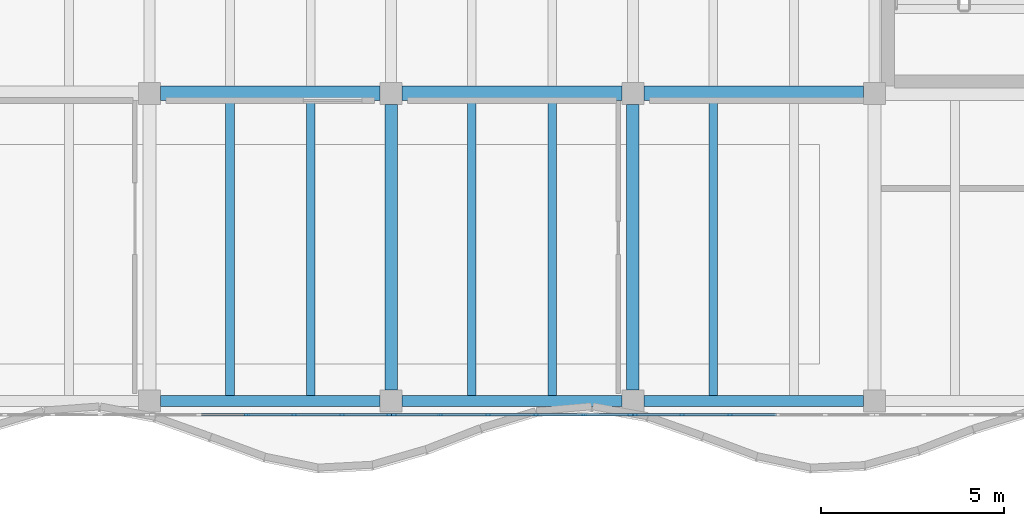
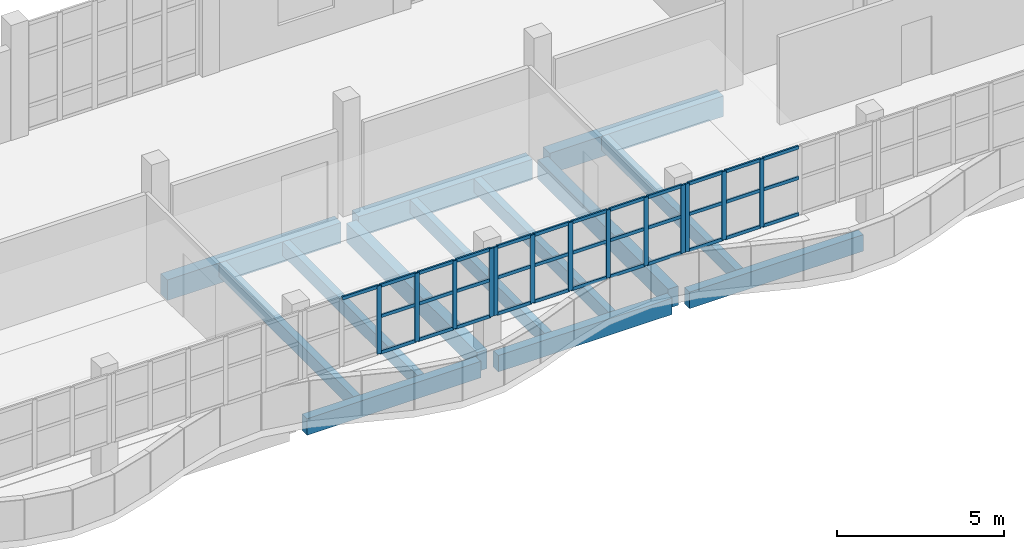
# One storey, part 14 of 74: 47 members, 13 beams, 3 elements without a shape of their own.
"""IFC4 building model written with IfcOpenShell, lengths in metres."""

from ifc_helpers import new_model, si_unit, direction, frame, origin, origin_2d, place, context, subcontext, project, spatial, rectangle, extrude, material, material_profile, profile_set, type_object, element, aggregate, save


model = new_model("IFC4")

# Units and contexts
model_context = context("Model", 3, precision=1e-05, world=origin(), true_north=direction((0.0, 1.0)))
body_context = subcontext(model_context, "Body", "Model", "MODEL_VIEW")
ifc_project = project(units=[si_unit("LENGTHUNIT", "METRE"), si_unit("AREAUNIT", "SQUARE_METRE"), si_unit("VOLUMEUNIT", "CUBIC_METRE"), si_unit("PLANEANGLEUNIT", "RADIAN"), si_unit("MASSUNIT", "GRAM", prefix="KILO")], contexts=[model_context])

# Site, building, storey
site_placement = place(None, origin())
site = spatial("IfcSite", under=ifc_project, at=site_placement, CompositionType="ELEMENT")
building_placement = place(site_placement, origin())
building = spatial("IfcBuilding", under=site, at=building_placement, Name="Qaldarim Faculty of Natural and Applied Sciences", CompositionType="ELEMENT")
storey_placement = place(building_placement, frame((0.0, 0.0, 14.39990234375)))
storey = spatial("IfcBuildingStorey", under=building, at=storey_placement, Name="L03", CompositionType="ELEMENT", Elevation=14.39990234375)

# Beams
ifc_material_1 = material(Name="Concrete C40/50", Category="concrete")
ifc_material_profile_1 = material_profile(ifc_material_1, rectangle(XDim=0.239990234375, YDim=0.5, at=origin_2d()), Name="RC-J240x500")
ifc_profile_set_1 = profile_set([ifc_material_profile_1], Name="Concrete C40/50")
beam_type_1 = type_object("IfcBeamType", Name="HeavyJoist-RC240x500", PredefinedType="JOIST", material=ifc_profile_set_1)
for number, where, z_axis, x_axis, name in (
    (1, (81.39990234375, 100.949951171875, -0.510009765625), (0.0, 1.0, 0.0), (-1.0, 0.0, 0.0), "Laboratory joist L02 bay X13Y13-1"),
    (2, (83.60009765625, 100.949951171875, -0.510009765625), (0.0, 1.0, 0.0), (-1.0, 0.0, 0.0), "Laboratory joist L02 bay X13Y13-2"),
    (3, (88.0, 100.949951171875, -0.510009765625), (0.0, 1.0, 0.0), (-1.0, 0.0, 0.0), "Laboratory joist L02 bay X14Y13-1"),
    (4, (90.199951171875, 100.949951171875, -0.510009765625), (0.0, 1.0, 0.0), (-1.0, 0.0, 0.0), "Laboratory joist L02 bay X14Y13-2"),
    (5, (94.60009765625, 100.949951171875, -0.510009765625), (0.0, 1.0, 0.0), (-1.0, 0.0, 0.0), "Laboratory joist L02 bay X15Y13-1"),
):
    element("IfcBeam", number, at=place(storey_placement, frame(where, z_axis=z_axis, x_axis=x_axis)), inside=storey, type_object=beam_type_1, Name=name, PredefinedType="JOIST", context=body_context, shape_type="SweptSolid", body=[
        extrude(rectangle(XDim=0.239990234375, YDim=0.5, at=origin_2d()), origin(), (0.0, 0.0, 1.0), 8.050048828125),
    ])
ifc_material_2 = material(Name="Concrete C50/60", Category="concrete")
ifc_material_profile_2 = material_profile(ifc_material_2, rectangle(XDim=0.39990234375, YDim=0.75, at=origin_2d()), Name="RC-B400x750")
ifc_profile_set_2 = profile_set([ifc_material_profile_2], Name="Concrete C50/60")
beam_type_2 = type_object("IfcBeamType", Name="LabGirder-RC400x750", PredefinedType="BEAM", material=ifc_profile_set_2)
for number, where, z_axis, x_axis, name in (
    (6, (79.5, 109.199951171875, -0.635009765625), (1.0, 0.0, 0.0), (0.0, 1.0, 0.0), "Beam RC-B400x750 L02 X13-X14/Y14"),
    (7, (86.10009765625, 109.199951171875, -0.635009765625), (1.0, 0.0, 0.0), (0.0, 1.0, 0.0), "Beam RC-B400x750 L02 X14-X15/Y14"),
    (8, (92.699951171875, 109.199951171875, -0.635009765625), (1.0, 0.0, 0.0), (0.0, 1.0, 0.0), "Beam RC-B400x750 L02 X15-X16/Y14"),
):
    element("IfcBeam", number, at=place(storey_placement, frame(where, z_axis=z_axis, x_axis=x_axis)), inside=storey, type_object=beam_type_2, Name=name, PredefinedType="BEAM", context=body_context, shape_type="SweptSolid", body=[
        extrude(rectangle(XDim=0.39990234375, YDim=0.75, at=origin_2d()), origin(), (0.0, 0.0, 1.0), 6.0),
    ])

# Curtain wall, members
ifc_material_3 = material(Name="Anodised aluminium AW-6063", Category="aluminium")
curtain_wall_type = type_object("IfcCurtainWallType", Name="CurtainWallSystem-M1400", PredefinedType="USERDEFINED", material=ifc_material_3)
curtain_wall_1_placement = place(storey_placement, origin())
curtain_wall_1 = element("IfcCurtainWall", 9, at=curtain_wall_1_placement, inside=storey, type_object=curtain_wall_type, Name="Curtain wall CW-V4RIB-L03-X13", ObjectType="STICK CURTAIN WALL", PredefinedType="USERDEFINED")
ifc_material_profile_3 = material_profile(ifc_material_3, rectangle(XDim=0.06005859375, YDim=0.14990234375, at=origin_2d()), Name="ALU-M60x150")
ifc_profile_set_3 = profile_set([ifc_material_profile_3], Name="Anodised aluminium AW-6063")
member_type_1 = type_object("IfcMemberType", Name="Mullion-ALU60x150", PredefinedType="MULLION", material=ifc_profile_set_3)
member_1_placement = place(storey_placement, frame((81.847900390625, 100.419921875, 1.4501953125), z_axis=(0.0, 0.0, 1.0), x_axis=(0.0, 1.0, 0.0)))
member_1 = element("IfcMember", 10, at=member_1_placement, type_object=member_type_1, Name="Mullion 3 of CW-V4RIB-L03-X13", PredefinedType="MULLION", context=body_context, shape_type="SweptSolid", body=[
    extrude(rectangle(XDim=0.06005859375, YDim=0.14990234375, at=origin_2d()), origin(), (0.0, 0.0, 1.0), 2.489990234375),
])
member_2_placement = place(storey_placement, frame((83.152099609375, 100.419921875, 1.4501953125), z_axis=(0.0, 0.0, 1.0), x_axis=(0.0, 1.0, 0.0)))
member_2 = element("IfcMember", 11, at=member_2_placement, type_object=member_type_1, Name="Mullion 4 of CW-V4RIB-L03-X13", PredefinedType="MULLION", context=body_context, shape_type="SweptSolid", body=[
    extrude(rectangle(XDim=0.06005859375, YDim=0.14990234375, at=origin_2d()), origin(), (0.0, 0.0, 1.0), 2.489990234375),
])
member_3_placement = place(storey_placement, frame((84.4560546875, 100.419921875, 1.4501953125), z_axis=(0.0, 0.0, 1.0), x_axis=(0.0, 1.0, 0.0)))
member_3 = element("IfcMember", 12, at=member_3_placement, type_object=member_type_1, Name="Mullion 5 of CW-V4RIB-L03-X13", PredefinedType="MULLION", context=body_context, shape_type="SweptSolid", body=[
    extrude(rectangle(XDim=0.06005859375, YDim=0.14990234375, at=origin_2d()), origin(), (0.0, 0.0, 1.0), 2.489990234375),
])
member_4_placement = place(storey_placement, frame((85.72998046875, 100.419921875, 1.4501953125), z_axis=(0.0, 0.0, 1.0), x_axis=(0.0, 1.0, 0.0)))
member_4 = element("IfcMember", 13, at=member_4_placement, type_object=member_type_1, Name="Mullion 6 of CW-V4RIB-L03-X13", PredefinedType="MULLION", context=body_context, shape_type="SweptSolid", body=[
    extrude(rectangle(XDim=0.06005859375, YDim=0.14990234375, at=origin_2d()), origin(), (0.0, 0.0, 1.0), 2.489990234375),
])

curtain_wall_2_placement = place(storey_placement, origin())
curtain_wall_2 = element("IfcCurtainWall", 14, at=curtain_wall_2_placement, inside=storey, type_object=curtain_wall_type, Name="Curtain wall CW-V4RIB-L03-X14", ObjectType="STICK CURTAIN WALL", PredefinedType="USERDEFINED")
member_5_placement = place(storey_placement, frame((85.8701171875, 100.419921875, 1.4501953125), z_axis=(0.0, 0.0, 1.0), x_axis=(0.0, 1.0, 0.0)))
member_5 = element("IfcMember", 15, at=member_5_placement, type_object=member_type_1, Name="Mullion 1 of CW-V4RIB-L03-X14", PredefinedType="MULLION", context=body_context, shape_type="SweptSolid", body=[
    extrude(rectangle(XDim=0.06005859375, YDim=0.14990234375, at=origin_2d()), origin(), (0.0, 0.0, 1.0), 2.489990234375),
])
member_6_placement = place(storey_placement, frame((87.14404296875, 100.419921875, 1.4501953125), z_axis=(0.0, 0.0, 1.0), x_axis=(0.0, 1.0, 0.0)))
member_6 = element("IfcMember", 16, at=member_6_placement, type_object=member_type_1, Name="Mullion 2 of CW-V4RIB-L03-X14", PredefinedType="MULLION", context=body_context, shape_type="SweptSolid", body=[
    extrude(rectangle(XDim=0.06005859375, YDim=0.14990234375, at=origin_2d()), origin(), (0.0, 0.0, 1.0), 2.489990234375),
])
member_7_placement = place(storey_placement, frame((88.447998046875, 100.419921875, 1.4501953125), z_axis=(0.0, 0.0, 1.0), x_axis=(0.0, 1.0, 0.0)))
member_7 = element("IfcMember", 17, at=member_7_placement, type_object=member_type_1, Name="Mullion 3 of CW-V4RIB-L03-X14", PredefinedType="MULLION", context=body_context, shape_type="SweptSolid", body=[
    extrude(rectangle(XDim=0.06005859375, YDim=0.14990234375, at=origin_2d()), origin(), (0.0, 0.0, 1.0), 2.489990234375),
])
member_8_placement = place(storey_placement, frame((89.751953125, 100.419921875, 1.4501953125), z_axis=(0.0, 0.0, 1.0), x_axis=(0.0, 1.0, 0.0)))
member_8 = element("IfcMember", 18, at=member_8_placement, type_object=member_type_1, Name="Mullion 4 of CW-V4RIB-L03-X14", PredefinedType="MULLION", context=body_context, shape_type="SweptSolid", body=[
    extrude(rectangle(XDim=0.06005859375, YDim=0.14990234375, at=origin_2d()), origin(), (0.0, 0.0, 1.0), 2.489990234375),
])
member_9_placement = place(storey_placement, frame((91.055908203125, 100.419921875, 1.4501953125), z_axis=(0.0, 0.0, 1.0), x_axis=(0.0, 1.0, 0.0)))
member_9 = element("IfcMember", 19, at=member_9_placement, type_object=member_type_1, Name="Mullion 5 of CW-V4RIB-L03-X14", PredefinedType="MULLION", context=body_context, shape_type="SweptSolid", body=[
    extrude(rectangle(XDim=0.06005859375, YDim=0.14990234375, at=origin_2d()), origin(), (0.0, 0.0, 1.0), 2.489990234375),
])
member_10_placement = place(storey_placement, frame((92.330078125, 100.419921875, 1.4501953125), z_axis=(0.0, 0.0, 1.0), x_axis=(0.0, 1.0, 0.0)))
member_10 = element("IfcMember", 20, at=member_10_placement, type_object=member_type_1, Name="Mullion 6 of CW-V4RIB-L03-X14", PredefinedType="MULLION", context=body_context, shape_type="SweptSolid", body=[
    extrude(rectangle(XDim=0.06005859375, YDim=0.14990234375, at=origin_2d()), origin(), (0.0, 0.0, 1.0), 2.489990234375),
])

curtain_wall_3_placement = place(storey_placement, origin())
curtain_wall_3 = element("IfcCurtainWall", 21, at=curtain_wall_3_placement, inside=storey, type_object=curtain_wall_type, Name="Curtain wall CW-V4RIB-L03-X15", ObjectType="STICK CURTAIN WALL", PredefinedType="USERDEFINED")
member_11_placement = place(storey_placement, frame((92.469970703125, 100.419921875, 1.4501953125), z_axis=(0.0, 0.0, 1.0), x_axis=(0.0, 1.0, 0.0)))
member_11 = element("IfcMember", 22, at=member_11_placement, type_object=member_type_1, Name="Mullion 1 of CW-V4RIB-L03-X15", PredefinedType="MULLION", context=body_context, shape_type="SweptSolid", body=[
    extrude(rectangle(XDim=0.06005859375, YDim=0.14990234375, at=origin_2d()), origin(), (0.0, 0.0, 1.0), 2.489990234375),
])
member_12_placement = place(storey_placement, frame((93.743896484375, 100.419921875, 1.4501953125), z_axis=(0.0, 0.0, 1.0), x_axis=(0.0, 1.0, 0.0)))
member_12 = element("IfcMember", 23, at=member_12_placement, type_object=member_type_1, Name="Mullion 2 of CW-V4RIB-L03-X15", PredefinedType="MULLION", context=body_context, shape_type="SweptSolid", body=[
    extrude(rectangle(XDim=0.06005859375, YDim=0.14990234375, at=origin_2d()), origin(), (0.0, 0.0, 1.0), 2.489990234375),
])
member_13_placement = place(storey_placement, frame((95.048095703125, 100.419921875, 1.4501953125), z_axis=(0.0, 0.0, 1.0), x_axis=(0.0, 1.0, 0.0)))
member_13 = element("IfcMember", 24, at=member_13_placement, type_object=member_type_1, Name="Mullion 3 of CW-V4RIB-L03-X15", PredefinedType="MULLION", context=body_context, shape_type="SweptSolid", body=[
    extrude(rectangle(XDim=0.06005859375, YDim=0.14990234375, at=origin_2d()), origin(), (0.0, 0.0, 1.0), 2.489990234375),
])

# Beams
ifc_material_profile_4 = material_profile(ifc_material_1, rectangle(XDim=0.35009765625, YDim=0.699951171875, at=origin_2d()), Name="RC-B350x700")
ifc_profile_set_4 = profile_set([ifc_material_profile_4], Name="Concrete C40/50")
beam_type_3 = type_object("IfcBeamType", Name="PrimaryGirder-RC350x700", PredefinedType="BEAM", material=ifc_profile_set_4)
for number, where, z_axis, x_axis, name in (
    (25, (85.800048828125, 101.10009765625, -0.60986328125), (0.0, 1.0, 0.0), (-1.0, 0.0, 0.0), "Beam RC-B350x700 L02 X14/Y13-Y14"),
    (26, (92.39990234375, 101.10009765625, -0.60986328125), (0.0, 1.0, 0.0), (-1.0, 0.0, 0.0), "Beam RC-B350x700 L02 X15/Y13-Y14"),
):
    element("IfcBeam", number, at=place(storey_placement, frame(where, z_axis=z_axis, x_axis=x_axis)), inside=storey, type_object=beam_type_3, Name=name, PredefinedType="BEAM", context=body_context, shape_type="SweptSolid", body=[
        extrude(rectangle(XDim=0.35009765625, YDim=0.699951171875, at=origin_2d()), origin(), (0.0, 0.0, 1.0), 7.7998046875),
    ])
ifc_material_4 = material(Name="Precast concrete C40/50", Category="concrete")
ifc_material_profile_5 = material_profile(ifc_material_4, rectangle(XDim=0.300048828125, YDim=0.60009765625, at=origin_2d()), Name="RC-SP300x600")
ifc_profile_set_5 = profile_set([ifc_material_profile_5], Name="Precast concrete C40/50")
beam_type_4 = type_object("IfcBeamType", Name="SpandrelBeam-RC300x600", PredefinedType="SPANDREL", material=ifc_profile_set_5)
for number, where, z_axis, x_axis, name in (
    (27, (79.5, 100.800048828125, -0.559814453125), (1.0, 0.0, 0.0), (0.0, 1.0, 0.0), "Beam RC-SP300x600 L02 X13-X14/Y13"),
    (28, (86.10009765625, 100.800048828125, -0.559814453125), (1.0, 0.0, 0.0), (0.0, 1.0, 0.0), "Beam RC-SP300x600 L02 X14-X15/Y13"),
    (29, (92.699951171875, 100.800048828125, -0.559814453125), (1.0, 0.0, 0.0), (0.0, 1.0, 0.0), "Beam RC-SP300x600 L02 X15-X16/Y13"),
):
    element("IfcBeam", number, at=place(storey_placement, frame(where, z_axis=z_axis, x_axis=x_axis)), inside=storey, type_object=beam_type_4, Name=name, PredefinedType="SPANDREL", context=body_context, shape_type="SweptSolid", body=[
        extrude(rectangle(XDim=0.300048828125, YDim=0.60009765625, at=origin_2d()), origin(), (0.0, 0.0, 1.0), 6.0),
    ])

# Member
ifc_material_profile_6 = material_profile(ifc_material_3, rectangle(XDim=0.06005859375, YDim=0.1201171875, at=origin_2d()), Name="ALU-T60x120")
ifc_profile_set_6 = profile_set([ifc_material_profile_6], Name="Anodised aluminium AW-6063")
member_type_2 = type_object("IfcMemberType", Name="Transom-ALU60x120", PredefinedType="USERDEFINED", material=ifc_profile_set_6)
member_14_placement = place(storey_placement, frame((80.573974609375, 100.419921875, 3.91015625), z_axis=(1.0, 0.0, 0.0), x_axis=(0.0, 1.0, 0.0)))
member_14 = element("IfcMember", 30, at=member_14_placement, type_object=member_type_2, Name="Transom 2-3 of CW-V4RIB-L03-X13", ObjectType="TRANSOM", PredefinedType="USERDEFINED", context=body_context, shape_type="SweptSolid", body=[
    extrude(rectangle(XDim=0.06005859375, YDim=0.1201171875, at=origin_2d()), origin(), (0.0, 0.0, 1.0), 1.244140625),
])

member_15_placement = place(storey_placement, frame((81.8779296875, 100.419921875, 1.47998046875), z_axis=(1.0, 0.0, 0.0), x_axis=(0.0, 1.0, 0.0)))
member_15 = element("IfcMember", 31, at=member_15_placement, type_object=member_type_2, Name="Transom 3-1 of CW-V4RIB-L03-X13", ObjectType="TRANSOM", PredefinedType="USERDEFINED", context=body_context, shape_type="SweptSolid", body=[
    extrude(rectangle(XDim=0.06005859375, YDim=0.1201171875, at=origin_2d()), origin(), (0.0, 0.0, 1.0), 1.244140625),
])

member_16_placement = place(storey_placement, frame((81.8779296875, 100.419921875, 2.800048828125), z_axis=(1.0, 0.0, 0.0), x_axis=(0.0, 1.0, 0.0)))
member_16 = element("IfcMember", 32, at=member_16_placement, type_object=member_type_2, Name="Transom 3-2 of CW-V4RIB-L03-X13", ObjectType="TRANSOM", PredefinedType="USERDEFINED", context=body_context, shape_type="SweptSolid", body=[
    extrude(rectangle(XDim=0.06005859375, YDim=0.1201171875, at=origin_2d()), origin(), (0.0, 0.0, 1.0), 1.244140625),
])

member_17_placement = place(storey_placement, frame((81.8779296875, 100.419921875, 3.91015625), z_axis=(1.0, 0.0, 0.0), x_axis=(0.0, 1.0, 0.0)))
member_17 = element("IfcMember", 33, at=member_17_placement, type_object=member_type_2, Name="Transom 3-3 of CW-V4RIB-L03-X13", ObjectType="TRANSOM", PredefinedType="USERDEFINED", context=body_context, shape_type="SweptSolid", body=[
    extrude(rectangle(XDim=0.06005859375, YDim=0.1201171875, at=origin_2d()), origin(), (0.0, 0.0, 1.0), 1.244140625),
])

member_18_placement = place(storey_placement, frame((83.181884765625, 100.419921875, 1.47998046875), z_axis=(1.0, 0.0, 0.0), x_axis=(0.0, 1.0, 0.0)))
member_18 = element("IfcMember", 34, at=member_18_placement, type_object=member_type_2, Name="Transom 4-1 of CW-V4RIB-L03-X13", ObjectType="TRANSOM", PredefinedType="USERDEFINED", context=body_context, shape_type="SweptSolid", body=[
    extrude(rectangle(XDim=0.06005859375, YDim=0.1201171875, at=origin_2d()), origin(), (0.0, 0.0, 1.0), 1.244140625),
])

member_19_placement = place(storey_placement, frame((83.181884765625, 100.419921875, 2.800048828125), z_axis=(1.0, 0.0, 0.0), x_axis=(0.0, 1.0, 0.0)))
member_19 = element("IfcMember", 35, at=member_19_placement, type_object=member_type_2, Name="Transom 4-2 of CW-V4RIB-L03-X13", ObjectType="TRANSOM", PredefinedType="USERDEFINED", context=body_context, shape_type="SweptSolid", body=[
    extrude(rectangle(XDim=0.06005859375, YDim=0.1201171875, at=origin_2d()), origin(), (0.0, 0.0, 1.0), 1.244140625),
])

member_20_placement = place(storey_placement, frame((83.181884765625, 100.419921875, 3.91015625), z_axis=(1.0, 0.0, 0.0), x_axis=(0.0, 1.0, 0.0)))
member_20 = element("IfcMember", 36, at=member_20_placement, type_object=member_type_2, Name="Transom 4-3 of CW-V4RIB-L03-X13", ObjectType="TRANSOM", PredefinedType="USERDEFINED", context=body_context, shape_type="SweptSolid", body=[
    extrude(rectangle(XDim=0.06005859375, YDim=0.1201171875, at=origin_2d()), origin(), (0.0, 0.0, 1.0), 1.244140625),
])

member_21_placement = place(storey_placement, frame((84.486083984375, 100.419921875, 1.47998046875), z_axis=(1.0, 0.0, 0.0), x_axis=(0.0, 1.0, 0.0)))
member_21 = element("IfcMember", 37, at=member_21_placement, type_object=member_type_2, Name="Transom 5-1 of CW-V4RIB-L03-X13", ObjectType="TRANSOM", PredefinedType="USERDEFINED", context=body_context, shape_type="SweptSolid", body=[
    extrude(rectangle(XDim=0.06005859375, YDim=0.1201171875, at=origin_2d()), origin(), (0.0, 0.0, 1.0), 1.2138671875),
])

member_22_placement = place(storey_placement, frame((84.486083984375, 100.419921875, 2.800048828125), z_axis=(1.0, 0.0, 0.0), x_axis=(0.0, 1.0, 0.0)))
member_22 = element("IfcMember", 38, at=member_22_placement, type_object=member_type_2, Name="Transom 5-2 of CW-V4RIB-L03-X13", ObjectType="TRANSOM", PredefinedType="USERDEFINED", context=body_context, shape_type="SweptSolid", body=[
    extrude(rectangle(XDim=0.06005859375, YDim=0.1201171875, at=origin_2d()), origin(), (0.0, 0.0, 1.0), 1.2138671875),
])

member_23_placement = place(storey_placement, frame((84.486083984375, 100.419921875, 3.91015625), z_axis=(1.0, 0.0, 0.0), x_axis=(0.0, 1.0, 0.0)))
member_23 = element("IfcMember", 39, at=member_23_placement, type_object=member_type_2, Name="Transom 5-3 of CW-V4RIB-L03-X13", ObjectType="TRANSOM", PredefinedType="USERDEFINED", context=body_context, shape_type="SweptSolid", body=[
    extrude(rectangle(XDim=0.06005859375, YDim=0.1201171875, at=origin_2d()), origin(), (0.0, 0.0, 1.0), 1.2138671875),
])

aggregate(curtain_wall_1, [member_1, member_2, member_3, member_4, member_14, member_15, member_16, member_17, member_18, member_19, member_20, member_21, member_22, member_23])

member_24_placement = place(storey_placement, frame((85.89990234375, 100.419921875, 1.47998046875), z_axis=(1.0, 0.0, 0.0), x_axis=(0.0, 1.0, 0.0)))
member_24 = element("IfcMember", 40, at=member_24_placement, type_object=member_type_2, Name="Transom 1-1 of CW-V4RIB-L03-X14", ObjectType="TRANSOM", PredefinedType="USERDEFINED", context=body_context, shape_type="SweptSolid", body=[
    extrude(rectangle(XDim=0.06005859375, YDim=0.1201171875, at=origin_2d()), origin(), (0.0, 0.0, 1.0), 1.214111328125),
])

member_25_placement = place(storey_placement, frame((85.89990234375, 100.419921875, 2.800048828125), z_axis=(1.0, 0.0, 0.0), x_axis=(0.0, 1.0, 0.0)))
member_25 = element("IfcMember", 41, at=member_25_placement, type_object=member_type_2, Name="Transom 1-2 of CW-V4RIB-L03-X14", ObjectType="TRANSOM", PredefinedType="USERDEFINED", context=body_context, shape_type="SweptSolid", body=[
    extrude(rectangle(XDim=0.06005859375, YDim=0.1201171875, at=origin_2d()), origin(), (0.0, 0.0, 1.0), 1.214111328125),
])

member_26_placement = place(storey_placement, frame((85.89990234375, 100.419921875, 3.91015625), z_axis=(1.0, 0.0, 0.0), x_axis=(0.0, 1.0, 0.0)))
member_26 = element("IfcMember", 42, at=member_26_placement, type_object=member_type_2, Name="Transom 1-3 of CW-V4RIB-L03-X14", ObjectType="TRANSOM", PredefinedType="USERDEFINED", context=body_context, shape_type="SweptSolid", body=[
    extrude(rectangle(XDim=0.06005859375, YDim=0.1201171875, at=origin_2d()), origin(), (0.0, 0.0, 1.0), 1.214111328125),
])

member_27_placement = place(storey_placement, frame((87.174072265625, 100.419921875, 1.47998046875), z_axis=(1.0, 0.0, 0.0), x_axis=(0.0, 1.0, 0.0)))
member_27 = element("IfcMember", 43, at=member_27_placement, type_object=member_type_2, Name="Transom 2-1 of CW-V4RIB-L03-X14", ObjectType="TRANSOM", PredefinedType="USERDEFINED", context=body_context, shape_type="SweptSolid", body=[
    extrude(rectangle(XDim=0.06005859375, YDim=0.1201171875, at=origin_2d()), origin(), (0.0, 0.0, 1.0), 1.243896484375),
])

member_28_placement = place(storey_placement, frame((87.174072265625, 100.419921875, 2.800048828125), z_axis=(1.0, 0.0, 0.0), x_axis=(0.0, 1.0, 0.0)))
member_28 = element("IfcMember", 44, at=member_28_placement, type_object=member_type_2, Name="Transom 2-2 of CW-V4RIB-L03-X14", ObjectType="TRANSOM", PredefinedType="USERDEFINED", context=body_context, shape_type="SweptSolid", body=[
    extrude(rectangle(XDim=0.06005859375, YDim=0.1201171875, at=origin_2d()), origin(), (0.0, 0.0, 1.0), 1.243896484375),
])

member_29_placement = place(storey_placement, frame((87.174072265625, 100.419921875, 3.91015625), z_axis=(1.0, 0.0, 0.0), x_axis=(0.0, 1.0, 0.0)))
member_29 = element("IfcMember", 45, at=member_29_placement, type_object=member_type_2, Name="Transom 2-3 of CW-V4RIB-L03-X14", ObjectType="TRANSOM", PredefinedType="USERDEFINED", context=body_context, shape_type="SweptSolid", body=[
    extrude(rectangle(XDim=0.06005859375, YDim=0.1201171875, at=origin_2d()), origin(), (0.0, 0.0, 1.0), 1.243896484375),
])

member_30_placement = place(storey_placement, frame((88.47802734375, 100.419921875, 1.47998046875), z_axis=(1.0, 0.0, 0.0), x_axis=(0.0, 1.0, 0.0)))
member_30 = element("IfcMember", 46, at=member_30_placement, type_object=member_type_2, Name="Transom 3-1 of CW-V4RIB-L03-X14", ObjectType="TRANSOM", PredefinedType="USERDEFINED", context=body_context, shape_type="SweptSolid", body=[
    extrude(rectangle(XDim=0.06005859375, YDim=0.1201171875, at=origin_2d()), origin(), (0.0, 0.0, 1.0), 1.243896484375),
])

member_31_placement = place(storey_placement, frame((88.47802734375, 100.419921875, 2.800048828125), z_axis=(1.0, 0.0, 0.0), x_axis=(0.0, 1.0, 0.0)))
member_31 = element("IfcMember", 47, at=member_31_placement, type_object=member_type_2, Name="Transom 3-2 of CW-V4RIB-L03-X14", ObjectType="TRANSOM", PredefinedType="USERDEFINED", context=body_context, shape_type="SweptSolid", body=[
    extrude(rectangle(XDim=0.06005859375, YDim=0.1201171875, at=origin_2d()), origin(), (0.0, 0.0, 1.0), 1.243896484375),
])

member_32_placement = place(storey_placement, frame((88.47802734375, 100.419921875, 3.91015625), z_axis=(1.0, 0.0, 0.0), x_axis=(0.0, 1.0, 0.0)))
member_32 = element("IfcMember", 48, at=member_32_placement, type_object=member_type_2, Name="Transom 3-3 of CW-V4RIB-L03-X14", ObjectType="TRANSOM", PredefinedType="USERDEFINED", context=body_context, shape_type="SweptSolid", body=[
    extrude(rectangle(XDim=0.06005859375, YDim=0.1201171875, at=origin_2d()), origin(), (0.0, 0.0, 1.0), 1.243896484375),
])

member_33_placement = place(storey_placement, frame((89.781982421875, 100.419921875, 1.47998046875), z_axis=(1.0, 0.0, 0.0), x_axis=(0.0, 1.0, 0.0)))
member_33 = element("IfcMember", 49, at=member_33_placement, type_object=member_type_2, Name="Transom 4-1 of CW-V4RIB-L03-X14", ObjectType="TRANSOM", PredefinedType="USERDEFINED", context=body_context, shape_type="SweptSolid", body=[
    extrude(rectangle(XDim=0.06005859375, YDim=0.1201171875, at=origin_2d()), origin(), (0.0, 0.0, 1.0), 1.243896484375),
])

member_34_placement = place(storey_placement, frame((89.781982421875, 100.419921875, 2.800048828125), z_axis=(1.0, 0.0, 0.0), x_axis=(0.0, 1.0, 0.0)))
member_34 = element("IfcMember", 50, at=member_34_placement, type_object=member_type_2, Name="Transom 4-2 of CW-V4RIB-L03-X14", ObjectType="TRANSOM", PredefinedType="USERDEFINED", context=body_context, shape_type="SweptSolid", body=[
    extrude(rectangle(XDim=0.06005859375, YDim=0.1201171875, at=origin_2d()), origin(), (0.0, 0.0, 1.0), 1.243896484375),
])

member_35_placement = place(storey_placement, frame((89.781982421875, 100.419921875, 3.91015625), z_axis=(1.0, 0.0, 0.0), x_axis=(0.0, 1.0, 0.0)))
member_35 = element("IfcMember", 51, at=member_35_placement, type_object=member_type_2, Name="Transom 4-3 of CW-V4RIB-L03-X14", ObjectType="TRANSOM", PredefinedType="USERDEFINED", context=body_context, shape_type="SweptSolid", body=[
    extrude(rectangle(XDim=0.06005859375, YDim=0.1201171875, at=origin_2d()), origin(), (0.0, 0.0, 1.0), 1.243896484375),
])

member_36_placement = place(storey_placement, frame((91.0859375, 100.419921875, 1.47998046875), z_axis=(1.0, 0.0, 0.0), x_axis=(0.0, 1.0, 0.0)))
member_36 = element("IfcMember", 52, at=member_36_placement, type_object=member_type_2, Name="Transom 5-1 of CW-V4RIB-L03-X14", ObjectType="TRANSOM", PredefinedType="USERDEFINED", context=body_context, shape_type="SweptSolid", body=[
    extrude(rectangle(XDim=0.06005859375, YDim=0.1201171875, at=origin_2d()), origin(), (0.0, 0.0, 1.0), 1.214111328125),
])

member_37_placement = place(storey_placement, frame((91.0859375, 100.419921875, 2.800048828125), z_axis=(1.0, 0.0, 0.0), x_axis=(0.0, 1.0, 0.0)))
member_37 = element("IfcMember", 53, at=member_37_placement, type_object=member_type_2, Name="Transom 5-2 of CW-V4RIB-L03-X14", ObjectType="TRANSOM", PredefinedType="USERDEFINED", context=body_context, shape_type="SweptSolid", body=[
    extrude(rectangle(XDim=0.06005859375, YDim=0.1201171875, at=origin_2d()), origin(), (0.0, 0.0, 1.0), 1.214111328125),
])

member_38_placement = place(storey_placement, frame((91.0859375, 100.419921875, 3.91015625), z_axis=(1.0, 0.0, 0.0), x_axis=(0.0, 1.0, 0.0)))
member_38 = element("IfcMember", 54, at=member_38_placement, type_object=member_type_2, Name="Transom 5-3 of CW-V4RIB-L03-X14", ObjectType="TRANSOM", PredefinedType="USERDEFINED", context=body_context, shape_type="SweptSolid", body=[
    extrude(rectangle(XDim=0.06005859375, YDim=0.1201171875, at=origin_2d()), origin(), (0.0, 0.0, 1.0), 1.214111328125),
])

aggregate(curtain_wall_2, [member_5, member_6, member_7, member_8, member_9, member_10, member_24, member_25, member_26, member_27, member_28, member_29, member_30, member_31, member_32, member_33, member_34, member_35, member_36, member_37, member_38])

member_39_placement = place(storey_placement, frame((92.5, 100.419921875, 1.47998046875), z_axis=(1.0, 0.0, 0.0), x_axis=(0.0, 1.0, 0.0)))
member_39 = element("IfcMember", 55, at=member_39_placement, type_object=member_type_2, Name="Transom 1-1 of CW-V4RIB-L03-X15", ObjectType="TRANSOM", PredefinedType="USERDEFINED", context=body_context, shape_type="SweptSolid", body=[
    extrude(rectangle(XDim=0.06005859375, YDim=0.1201171875, at=origin_2d()), origin(), (0.0, 0.0, 1.0), 1.214111328125),
])

member_40_placement = place(storey_placement, frame((92.5, 100.419921875, 2.800048828125), z_axis=(1.0, 0.0, 0.0), x_axis=(0.0, 1.0, 0.0)))
member_40 = element("IfcMember", 56, at=member_40_placement, type_object=member_type_2, Name="Transom 1-2 of CW-V4RIB-L03-X15", ObjectType="TRANSOM", PredefinedType="USERDEFINED", context=body_context, shape_type="SweptSolid", body=[
    extrude(rectangle(XDim=0.06005859375, YDim=0.1201171875, at=origin_2d()), origin(), (0.0, 0.0, 1.0), 1.214111328125),
])

member_41_placement = place(storey_placement, frame((92.5, 100.419921875, 3.91015625), z_axis=(1.0, 0.0, 0.0), x_axis=(0.0, 1.0, 0.0)))
member_41 = element("IfcMember", 57, at=member_41_placement, type_object=member_type_2, Name="Transom 1-3 of CW-V4RIB-L03-X15", ObjectType="TRANSOM", PredefinedType="USERDEFINED", context=body_context, shape_type="SweptSolid", body=[
    extrude(rectangle(XDim=0.06005859375, YDim=0.1201171875, at=origin_2d()), origin(), (0.0, 0.0, 1.0), 1.214111328125),
])

member_42_placement = place(storey_placement, frame((93.77392578125, 100.419921875, 1.47998046875), z_axis=(1.0, 0.0, 0.0), x_axis=(0.0, 1.0, 0.0)))
member_42 = element("IfcMember", 58, at=member_42_placement, type_object=member_type_2, Name="Transom 2-1 of CW-V4RIB-L03-X15", ObjectType="TRANSOM", PredefinedType="USERDEFINED", context=body_context, shape_type="SweptSolid", body=[
    extrude(rectangle(XDim=0.06005859375, YDim=0.1201171875, at=origin_2d()), origin(), (0.0, 0.0, 1.0), 1.244140625),
])

member_43_placement = place(storey_placement, frame((93.77392578125, 100.419921875, 2.800048828125), z_axis=(1.0, 0.0, 0.0), x_axis=(0.0, 1.0, 0.0)))
member_43 = element("IfcMember", 59, at=member_43_placement, type_object=member_type_2, Name="Transom 2-2 of CW-V4RIB-L03-X15", ObjectType="TRANSOM", PredefinedType="USERDEFINED", context=body_context, shape_type="SweptSolid", body=[
    extrude(rectangle(XDim=0.06005859375, YDim=0.1201171875, at=origin_2d()), origin(), (0.0, 0.0, 1.0), 1.244140625),
])

member_44_placement = place(storey_placement, frame((93.77392578125, 100.419921875, 3.91015625), z_axis=(1.0, 0.0, 0.0), x_axis=(0.0, 1.0, 0.0)))
member_44 = element("IfcMember", 60, at=member_44_placement, type_object=member_type_2, Name="Transom 2-3 of CW-V4RIB-L03-X15", ObjectType="TRANSOM", PredefinedType="USERDEFINED", context=body_context, shape_type="SweptSolid", body=[
    extrude(rectangle(XDim=0.06005859375, YDim=0.1201171875, at=origin_2d()), origin(), (0.0, 0.0, 1.0), 1.244140625),
])

member_45_placement = place(storey_placement, frame((95.077880859375, 100.419921875, 1.47998046875), z_axis=(1.0, 0.0, 0.0), x_axis=(0.0, 1.0, 0.0)))
member_45 = element("IfcMember", 61, at=member_45_placement, type_object=member_type_2, Name="Transom 3-1 of CW-V4RIB-L03-X15", ObjectType="TRANSOM", PredefinedType="USERDEFINED", context=body_context, shape_type="SweptSolid", body=[
    extrude(rectangle(XDim=0.06005859375, YDim=0.1201171875, at=origin_2d()), origin(), (0.0, 0.0, 1.0), 1.244140625),
])

member_46_placement = place(storey_placement, frame((95.077880859375, 100.419921875, 2.800048828125), z_axis=(1.0, 0.0, 0.0), x_axis=(0.0, 1.0, 0.0)))
member_46 = element("IfcMember", 62, at=member_46_placement, type_object=member_type_2, Name="Transom 3-2 of CW-V4RIB-L03-X15", ObjectType="TRANSOM", PredefinedType="USERDEFINED", context=body_context, shape_type="SweptSolid", body=[
    extrude(rectangle(XDim=0.06005859375, YDim=0.1201171875, at=origin_2d()), origin(), (0.0, 0.0, 1.0), 1.244140625),
])

member_47_placement = place(storey_placement, frame((95.077880859375, 100.419921875, 3.91015625), z_axis=(1.0, 0.0, 0.0), x_axis=(0.0, 1.0, 0.0)))
member_47 = element("IfcMember", 63, at=member_47_placement, type_object=member_type_2, Name="Transom 3-3 of CW-V4RIB-L03-X15", ObjectType="TRANSOM", PredefinedType="USERDEFINED", context=body_context, shape_type="SweptSolid", body=[
    extrude(rectangle(XDim=0.06005859375, YDim=0.1201171875, at=origin_2d()), origin(), (0.0, 0.0, 1.0), 1.244140625),
])

aggregate(curtain_wall_3, [member_11, member_12, member_13, member_39, member_40, member_41, member_42, member_43, member_44, member_45, member_46, member_47])

save(model, "model.ifc")
